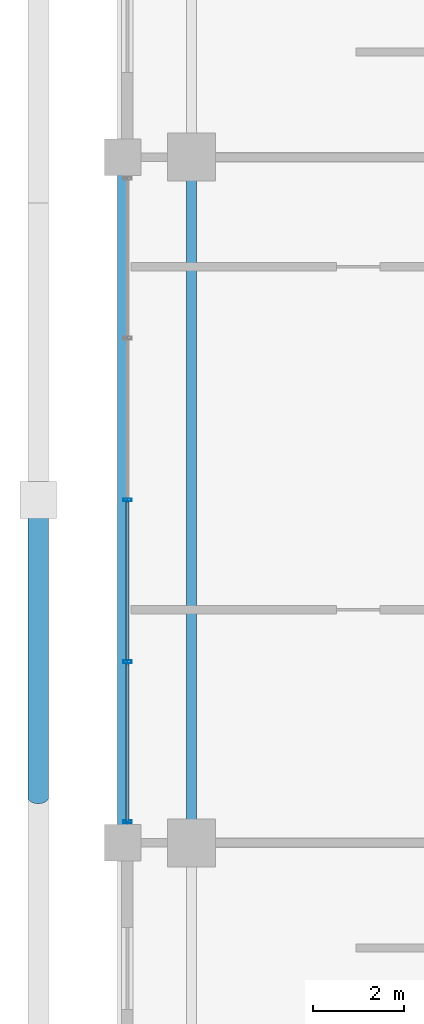
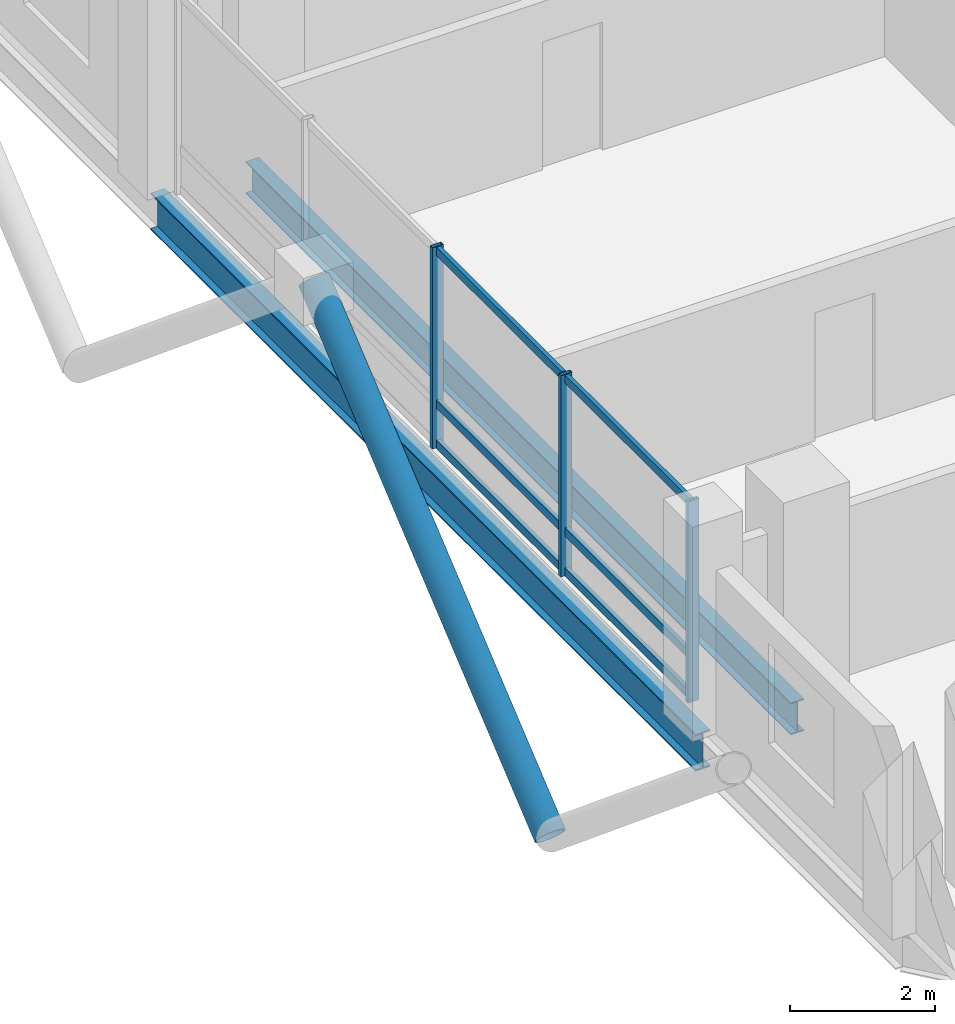
# One storey, part 6 of 24: 10 members, 2 beams, 1 element without a shape of its own.
"""IFC4 building model written with IfcOpenShell, lengths in metres."""

from ifc_helpers import new_model, si_unit, direction, frame, origin, origin_2d, place, context, subcontext, project, spatial, hollow_rectangle, hollow_circle, i_section, extrude, material, layer, layer_set, material_profile, profile_set, type_object, element, aggregate, save


model = new_model("IFC4")

# Units and contexts
model_context = context("Model", 3, precision=1e-05, world=origin(), true_north=direction((0.0, 1.0)))
body_context = subcontext(model_context, "Body", "Model", "MODEL_VIEW")
ifc_project = project(units=[si_unit("LENGTHUNIT", "METRE"), si_unit("AREAUNIT", "SQUARE_METRE"), si_unit("VOLUMEUNIT", "CUBIC_METRE"), si_unit("PLANEANGLEUNIT", "RADIAN"), si_unit("MASSUNIT", "GRAM", prefix="KILO")], contexts=[model_context])

# Site, building, storey
site_placement = place(None, origin())
site = spatial("IfcSite", under=ifc_project, at=site_placement, CompositionType="ELEMENT")
building_placement = place(site_placement, origin())
building = spatial("IfcBuilding", under=site, at=building_placement, Name="Barlavira Tower and Art Museum", CompositionType="ELEMENT")
storey_placement = place(building_placement, frame((0.0, 0.0, 172.800048828125)))
storey = spatial("IfcBuildingStorey", under=building, at=storey_placement, Name="L44", CompositionType="ELEMENT", Elevation=172.800048828125)

# Curtain wall, members
ifc_material_1 = material(Name="Low-iron coastal laminated glass", Category="glass")
ifc_layer = layer(ifc_material_1, 0.199951171875, Name="Low-iron coastal laminated glass")
ifc_layer_set = layer_set([ifc_layer], Name="Low-iron coastal laminated glass")
curtain_wall_type = type_object("IfcCurtainWallType", Name="Pale-Metal Unitised Curtain Wall Zone 3", PredefinedType="NOTDEFINED", material=ifc_layer_set)
curtain_wall_placement = place(storey_placement, origin())
curtain_wall = element("IfcCurtainWall", 1, at=curtain_wall_placement, inside=storey, type_object=curtain_wall_type, Name="L44 Curtain Wall CW3-L44-W-B3", PredefinedType="NOTDEFINED")
ifc_material_2 = material(Name="Pale anodised aluminium", Category="aluminium")
ifc_material_profile_1 = material_profile(ifc_material_2, hollow_rectangle(XDim=0.06494140625, YDim=0.179931640625, WallThickness=0.00390625, at=origin_2d()), Name="ALU-MULL 65x180x4")
ifc_profile_set_1 = profile_set([ifc_material_profile_1], Name="Pale anodised aluminium")
member_type_1 = type_object("IfcMemberType", Name="Curtain Wall Pale-Metal Mullion 65x180", PredefinedType="MULLION", material=ifc_profile_set_1)
member_1_placement = place(storey_placement, frame((-18.39990234375, 0.0, 0.0), z_axis=(0.0, 0.0, 1.0), x_axis=(0.0, -1.0, 0.0)))
member_1 = element("IfcMember", 2, at=member_1_placement, type_object=member_type_1, Name="CW3-L44-W-B3 Mullion 2", PredefinedType="MULLION", context=body_context, shape_type="SweptSolid", body=[
    extrude(hollow_rectangle(XDim=0.06494140625, YDim=0.179931640625, WallThickness=0.00390625, at=origin_2d()), origin(), (0.0, 0.0, 1.0), 3.3798828125),
])
member_2_placement = place(storey_placement, frame((-18.39990234375, -3.5400390625, 0.0), z_axis=(0.0, 0.0, 1.0), x_axis=(0.0, -1.0, 0.0)))
member_2 = element("IfcMember", 3, at=member_2_placement, type_object=member_type_1, Name="CW3-L44-W-B3 Mullion 3", PredefinedType="MULLION", context=body_context, shape_type="SweptSolid", body=[
    extrude(hollow_rectangle(XDim=0.06494140625, YDim=0.179931640625, WallThickness=0.00390625, at=origin_2d()), origin(), (0.0, 0.0, 1.0), 3.3798828125),
])
member_3_placement = place(storey_placement, frame((-18.39990234375, -7.034912109375, 0.0), z_axis=(0.0, 0.0, 1.0), x_axis=(0.0, -1.0, 0.0)))
member_3 = element("IfcMember", 4, at=member_3_placement, type_object=member_type_1, Name="CW3-L44-W-B3 Mullion 4", PredefinedType="MULLION", context=body_context, shape_type="SweptSolid", body=[
    extrude(hollow_rectangle(XDim=0.06494140625, YDim=0.179931640625, WallThickness=0.00390625, at=origin_2d()), origin(), (0.0, 0.0, 1.0), 3.3798828125),
])
ifc_material_profile_2 = material_profile(ifc_material_2, hollow_rectangle(XDim=0.06494140625, YDim=0.139892578125, WallThickness=0.00390625, at=origin_2d()), Name="ALU-TRAN 65x140x4")
ifc_profile_set_2 = profile_set([ifc_material_profile_2], Name="Pale anodised aluminium")
member_type_2 = type_object("IfcMemberType", Name="Curtain Wall Pale-Metal Transom 65x140", PredefinedType="USERDEFINED", material=ifc_profile_set_2)
member_4_placement = place(storey_placement, frame((-18.39990234375, -0.044921875, 0.070068359375), z_axis=(0.0, -1.0, 0.0), x_axis=(1.0, 0.0, 0.0)))
member_4 = element("IfcMember", 5, at=member_4_placement, type_object=member_type_2, Name="CW3-L44-W-B3 Transom 2.1", ObjectType="TRANSOM", PredefinedType="USERDEFINED", context=body_context, shape_type="SweptSolid", body=[
    extrude(hollow_rectangle(XDim=0.06494140625, YDim=0.139892578125, WallThickness=0.00390625, at=origin_2d()), origin(), (0.0, 0.0, 1.0), 3.4501953125),
])
member_5_placement = place(storey_placement, frame((-18.39990234375, -0.044921875, 0.743896484375), z_axis=(0.0, -1.0, 0.0), x_axis=(1.0, 0.0, 0.0)))
member_5 = element("IfcMember", 6, at=member_5_placement, type_object=member_type_2, Name="CW3-L44-W-B3 Transom 2.2", ObjectType="TRANSOM", PredefinedType="USERDEFINED", context=body_context, shape_type="SweptSolid", body=[
    extrude(hollow_rectangle(XDim=0.06494140625, YDim=0.139892578125, WallThickness=0.00390625, at=origin_2d()), origin(), (0.0, 0.0, 1.0), 3.4501953125),
])
member_6_placement = place(storey_placement, frame((-18.39990234375, -0.044921875, 3.31005859375), z_axis=(0.0, -1.0, 0.0), x_axis=(1.0, 0.0, 0.0)))
member_6 = element("IfcMember", 7, at=member_6_placement, type_object=member_type_2, Name="CW3-L44-W-B3 Transom 2.3", ObjectType="TRANSOM", PredefinedType="USERDEFINED", context=body_context, shape_type="SweptSolid", body=[
    extrude(hollow_rectangle(XDim=0.06494140625, YDim=0.139892578125, WallThickness=0.00390625, at=origin_2d()), origin(), (0.0, 0.0, 1.0), 3.4501953125),
])
member_7_placement = place(storey_placement, frame((-18.39990234375, -3.5849609375, 0.070068359375), z_axis=(0.0, -1.0, 0.0), x_axis=(1.0, 0.0, 0.0)))
member_7 = element("IfcMember", 8, at=member_7_placement, type_object=member_type_2, Name="CW3-L44-W-B3 Transom 3.1", ObjectType="TRANSOM", PredefinedType="USERDEFINED", context=body_context, shape_type="SweptSolid", body=[
    extrude(hollow_rectangle(XDim=0.06494140625, YDim=0.139892578125, WallThickness=0.00390625, at=origin_2d()), origin(), (0.0, 0.0, 1.0), 3.449951171875),
])
member_8_placement = place(storey_placement, frame((-18.39990234375, -3.5849609375, 0.743896484375), z_axis=(0.0, -1.0, 0.0), x_axis=(1.0, 0.0, 0.0)))
member_8 = element("IfcMember", 9, at=member_8_placement, type_object=member_type_2, Name="CW3-L44-W-B3 Transom 3.2", ObjectType="TRANSOM", PredefinedType="USERDEFINED", context=body_context, shape_type="SweptSolid", body=[
    extrude(hollow_rectangle(XDim=0.06494140625, YDim=0.139892578125, WallThickness=0.00390625, at=origin_2d()), origin(), (0.0, 0.0, 1.0), 3.449951171875),
])
member_9_placement = place(storey_placement, frame((-18.39990234375, -3.5849609375, 3.31005859375), z_axis=(0.0, -1.0, 0.0), x_axis=(1.0, 0.0, 0.0)))
member_9 = element("IfcMember", 10, at=member_9_placement, type_object=member_type_2, Name="CW3-L44-W-B3 Transom 3.3", ObjectType="TRANSOM", PredefinedType="USERDEFINED", context=body_context, shape_type="SweptSolid", body=[
    extrude(hollow_rectangle(XDim=0.06494140625, YDim=0.139892578125, WallThickness=0.00390625, at=origin_2d()), origin(), (0.0, 0.0, 1.0), 3.449951171875),
])
aggregate(curtain_wall, [member_1, member_2, member_3, member_4, member_5, member_6, member_7, member_8, member_9])

# Member
ifc_material_3 = material(Name="Steel S355", Category="steel")
ifc_material_profile_3 = material_profile(ifc_material_3, hollow_circle(Radius=0.228515625, WallThickness=0.02001953125, at=origin_2d()), Name="CHS 457.0x20.0")
ifc_profile_set_3 = profile_set([ifc_material_profile_3], Name="Steel S355")
member_type_3 = type_object("IfcMemberType", Name="Pale-Metal Exoskeleton Diagrid Tube CHS 457x20 Steel S355", PredefinedType="BRACE", material=ifc_profile_set_3)
member_10_placement = place(storey_placement, frame((-20.35009765625, -6.5, -1.920166015625), z_axis=(0.0, 0.76918185268, 0.639029950399), x_axis=(-1.0, 0.0, 0.0)))
element("IfcMember", 11, at=member_10_placement, inside=storey, type_object=member_type_3, Name="L44 Exoskeleton Diagrid Tube W", PredefinedType="BRACE", context=body_context, shape_type="SweptSolid", body=[
    extrude(hollow_circle(Radius=0.228515625, WallThickness=0.02001953125, at=origin_2d()), origin(), (0.0, 0.0, 1.0), 8.450439453125),
])

# Beams
ifc_material_profile_4 = material_profile(ifc_material_3, i_section(OverallWidth=0.22998046875, OverallDepth=0.616943359375, WebThickness=0.01318359375, FlangeThickness=0.022216796875, at=origin_2d()), Name="W610x140.0")
ifc_profile_set_4 = profile_set([ifc_material_profile_4], Name="Steel S355")
beam_type_1 = type_object("IfcBeamType", Name="Upper Shaft Spandrel Edge Beam W610x140 Steel S355", PredefinedType="SPANDREL", material=ifc_profile_set_4)
beam_1_placement = place(storey_placement, frame((-18.5, -7.5, -0.528564453125), z_axis=(0.0, 1.0, 0.0), x_axis=(-1.0, 0.0, 0.0)))
element("IfcBeam", 12, at=beam_1_placement, inside=storey, type_object=beam_type_1, Name="L44 Spandrel 14", PredefinedType="SPANDREL", context=body_context, shape_type="SweptSolid", body=[
    extrude(i_section(OverallWidth=0.22998046875, OverallDepth=0.616943359375, WebThickness=0.01318359375, FlangeThickness=0.022216796875, at=origin_2d()), origin(), (0.0, 0.0, 1.0), 15.0),
])
ifc_material_profile_5 = material_profile(ifc_material_3, i_section(OverallWidth=0.2109375, OverallDepth=0.5390625, WebThickness=0.01171875, FlangeThickness=0.018798828125, at=origin_2d()), Name="W530x109.0")
ifc_profile_set_5 = profile_set([ifc_material_profile_5], Name="Steel S355")
beam_type_2 = type_object("IfcBeamType", Name="Zone 3-4 Primary Floor Girder W530x109 Steel S355", PredefinedType="BEAM", material=ifc_profile_set_5)
beam_2_placement = place(storey_placement, frame((-17.0, -7.5, -0.489501953125), z_axis=(0.0, 1.0, 0.0), x_axis=(-1.0, 0.0, 0.0)))
element("IfcBeam", 13, at=beam_2_placement, inside=storey, type_object=beam_type_2, Name="L44 Girder M-W2", PredefinedType="BEAM", context=body_context, shape_type="SweptSolid", body=[
    extrude(i_section(OverallWidth=0.2109375, OverallDepth=0.5390625, WebThickness=0.01171875, FlangeThickness=0.018798828125, at=origin_2d()), origin(), (0.0, 0.0, 1.0), 15.0),
])

save(model, "model.ifc")
